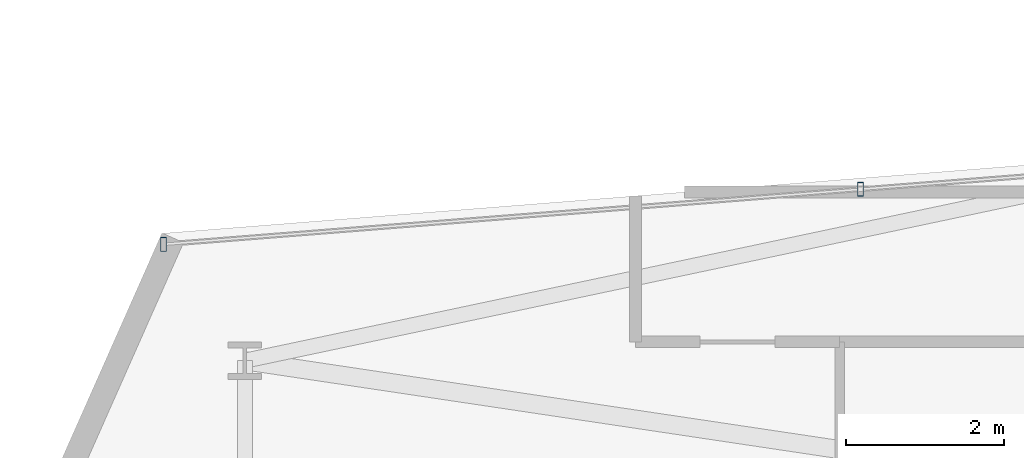
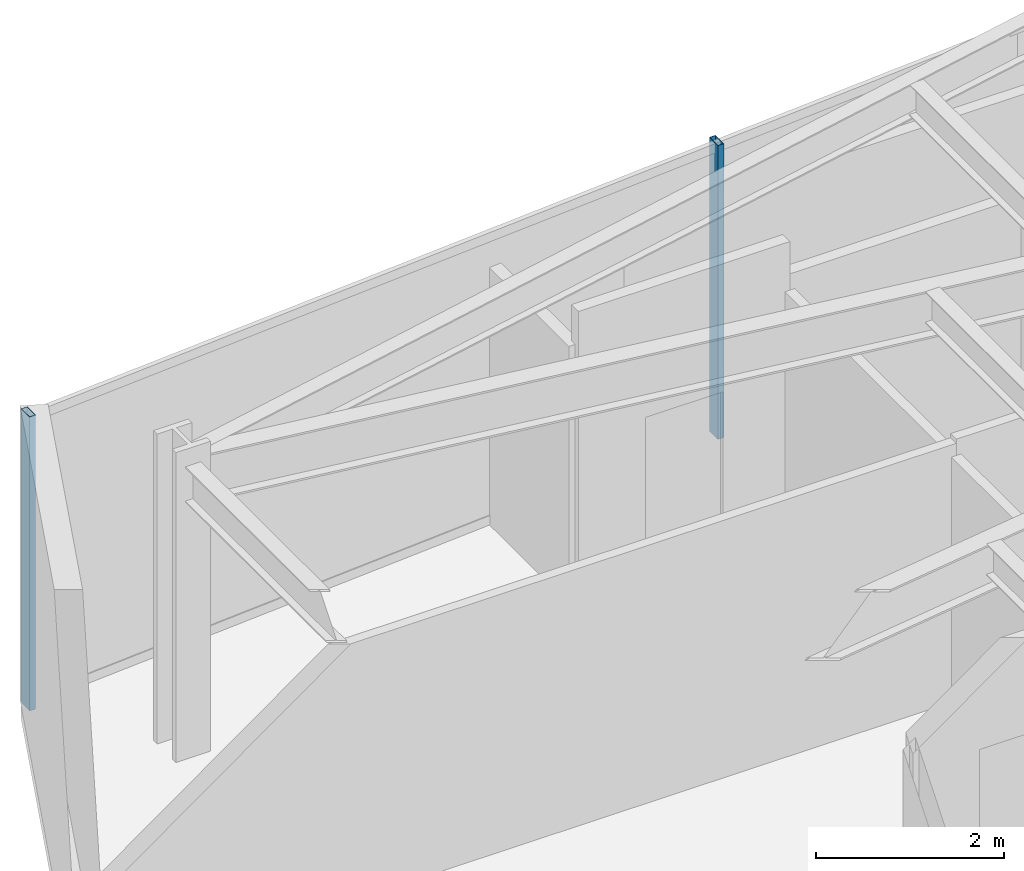
# One storey, part 7 of 25: 2 members, 1 element without a shape of its own.
"""IFC4 building model written with IfcOpenShell, lengths in metres."""

from ifc_helpers import new_model, si_unit, direction, frame, origin, origin_2d, place, context, subcontext, project, spatial, hollow_rectangle, extrude, material, layer, layer_set, material_profile, profile_set, type_object, element, aggregate, save


model = new_model("IFC4")

# Units and contexts
model_context = context("Model", 3, precision=1e-05, world=origin(), true_north=direction((0.0, 1.0)))
body_context = subcontext(model_context, "Body", "Model", "MODEL_VIEW")
ifc_project = project(units=[si_unit("LENGTHUNIT", "METRE"), si_unit("AREAUNIT", "SQUARE_METRE"), si_unit("VOLUMEUNIT", "CUBIC_METRE"), si_unit("PLANEANGLEUNIT", "RADIAN"), si_unit("MASSUNIT", "GRAM", prefix="KILO")], contexts=[model_context])

# Site, building, storey
site_placement = place(None, origin())
site = spatial("IfcSite", under=ifc_project, at=site_placement, CompositionType="ELEMENT")
building_placement = place(site_placement, origin())
building = spatial("IfcBuilding", under=site, at=building_placement, Name="Veymaron Broadcast Tower", CompositionType="ELEMENT")
storey_placement = place(building_placement, frame((0.0, 0.0, 74.25)))
storey = spatial("IfcBuildingStorey", under=building, at=storey_placement, Name="L16", CompositionType="ELEMENT", Elevation=74.25)

# Curtain wall, members
ifc_material_1 = material(Name="Anodised aluminium AA 6063-T6 and laminated low-E dark glass", Category="aluminium")
ifc_layer = layer(ifc_material_1, 0.179931640625)
ifc_layer_set = layer_set([ifc_layer], Name="Anodised aluminium AA 6063-T6 and laminated low-E dark glass")
curtain_wall_type = type_object("IfcCurtainWallType", Name="CW-SYS-02", PredefinedType="NOTDEFINED", material=ifc_layer_set)
curtain_wall_placement = place(storey_placement, origin())
curtain_wall = element("IfcCurtainWall", 1, at=curtain_wall_placement, inside=storey, type_object=curtain_wall_type, Name="L16 dark-glass curtain wall CW-L16-E11-1", PredefinedType="NOTDEFINED")
ifc_material_2 = material(Name="Anodised aluminium AA 6063-T6", Category="aluminium")
ifc_material_profile = material_profile(ifc_material_2, hollow_rectangle(XDim=0.074951171875, YDim=0.179931640625, WallThickness=0.0048828125, at=origin_2d()), Name="AL180X75X5")
ifc_profile_set = profile_set([ifc_material_profile], Name="Anodised aluminium AA 6063-T6")
member_type = type_object("IfcMemberType", Name="CW-MUL-02", PredefinedType="MULLION", material=ifc_profile_set)
member_1_placement = place(storey_placement, frame((16.85498046875, 29.486083984375, 0.0), z_axis=(0.0, 0.0, 1.0), x_axis=(1.0, 0.0, 0.0)))
member_1 = element("IfcMember", 2, at=member_1_placement, type_object=member_type, Name="CW-L16-E11-1 mullion 1", PredefinedType="MULLION", context=body_context, shape_type="SweptSolid", body=[
    extrude(hollow_rectangle(XDim=0.074951171875, YDim=0.179931640625, WallThickness=0.0048828125, at=origin_2d()), origin(), (0.0, 0.0, 1.0), 3.81005859375),
])
member_2_placement = place(storey_placement, frame((8.010986328125, 28.787353515625, 0.0), z_axis=(0.0, 0.0, 1.0), x_axis=(1.0, 0.0, 0.0)))
member_2 = element("IfcMember", 3, at=member_2_placement, type_object=member_type, Name="CW-L16-E11-1 mullion 2", PredefinedType="MULLION", context=body_context, shape_type="SweptSolid", body=[
    extrude(hollow_rectangle(XDim=0.074951171875, YDim=0.179931640625, WallThickness=0.0048828125, at=origin_2d()), origin(), (0.0, 0.0, 1.0), 3.81005859375),
])
aggregate(curtain_wall, [member_1, member_2])

save(model, "model.ifc")
